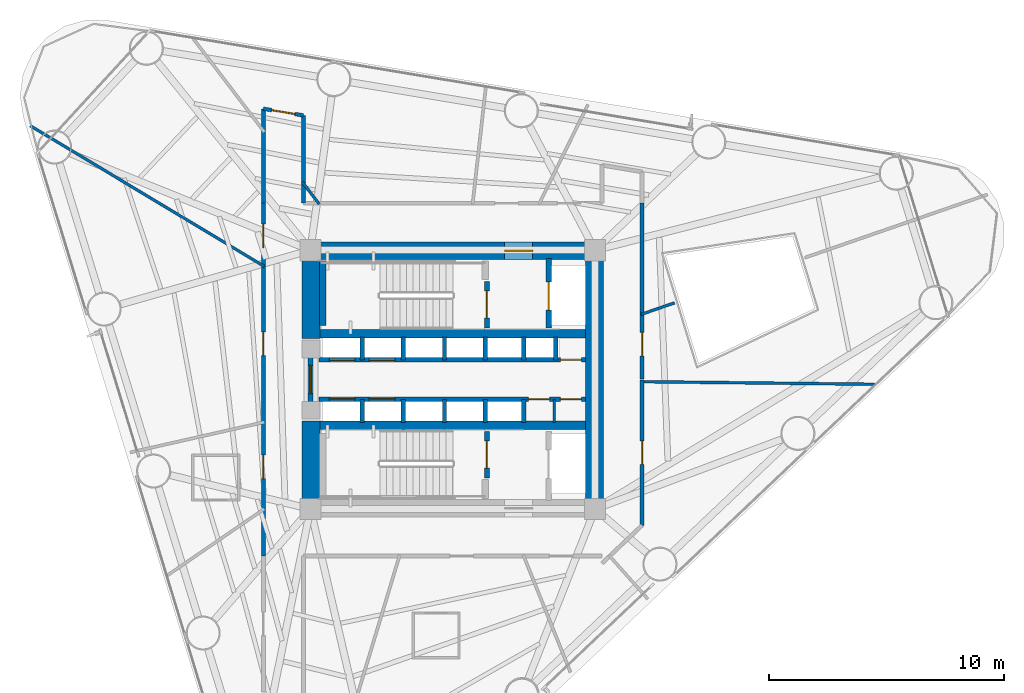
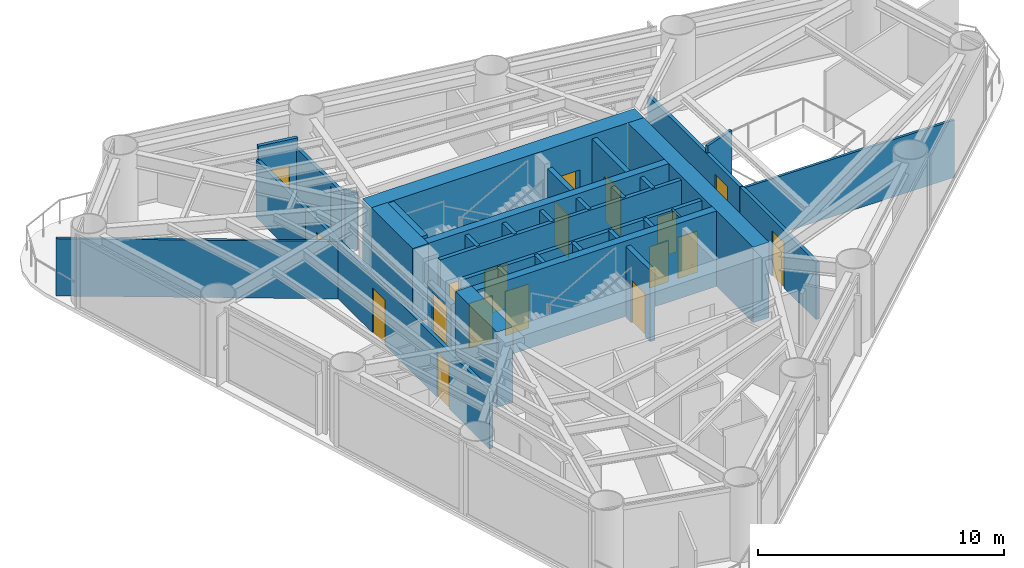
# One storey, part 6 of 10: 35 walls, 18 doors, 18 openings.
"""IFC4 building model written with IfcOpenShell, lengths in metres."""

import ifcopenshell
import ifcopenshell.guid

model = None  # the IFC model being written
_history = None  # IfcOwnerHistory: only IFC2X3 demands one
_inside = {}  # id of a spatial element -> (the spatial element, [elements in it])
_under = {}  # id of a project, library or spatial element -> (it, [spatial elements below it])
_declared = {}  # id of a project -> (the project, [libraries it declares])
_typed = {}  # id of a type object -> (the type object, [elements of that type])
_made_of = {}  # id of a material, layer set ... -> (it, [elements and type objects made of it])


def new_model(schema):
    """Start an empty IFC model of exactly this schema.

    Asked for "IFC4X3", IfcOpenShell would pick the latest addendum, in which some entities
    have other attributes; the version numbers below select the first issue.
    IFC2X3 requires an IfcOwnerHistory on every rooted entity: one is made here for all.
    """
    global model, _history
    if schema == "IFC4X3":
        model = ifcopenshell.file(schema_version=(4, 3, 0, 0))
    else:
        model = ifcopenshell.file(schema=schema)
    _inside.clear()
    _under.clear()
    _declared.clear()
    _typed.clear()
    _made_of.clear()
    _history = None
    if model.schema == "IFC2X3":
        org = make("IfcOrganization", Name="unknown")
        user = make(
            "IfcPersonAndOrganization",
            ThePerson=make("IfcPerson", FamilyName="unknown"),
            TheOrganization=org,
        )
        app = make(
            "IfcApplication",
            ApplicationDeveloper=org,
            Version="unknown",
            ApplicationFullName="unknown",
            ApplicationIdentifier="unknown",
        )
        _history = make(
            "IfcOwnerHistory",
            OwningUser=user,
            OwningApplication=app,
            ChangeAction="ADDED",
            CreationDate=0,
        )
    return model


def make(cls, **values):
    """One entity of the class cls with the attributes given. An attribute that is None is left unset."""
    return model.create_entity(
        cls, **{name: value for name, value in values.items() if value is not None}
    )


def rooted(cls, **values):
    """An entity with a GlobalId (a new one), such as an element, a storey or a relation."""
    return make(cls, GlobalId=ifcopenshell.guid.new(), OwnerHistory=_history, **values)


def si_unit(unit_type, name, prefix=None):
    """IfcSIUnit, for example si_unit("LENGTHUNIT", "METRE", prefix="MILLI")."""
    return make("IfcSIUnit", UnitType=unit_type, Prefix=prefix, Name=name)


def assignment(units):
    """IfcUnitAssignment: the units of a project."""
    return None if units is None else make("IfcUnitAssignment", Units=units)


def point(xyz):
    """IfcCartesianPoint."""
    return None if xyz is None else make("IfcCartesianPoint", Coordinates=xyz)


def direction(xyz):
    """IfcDirection."""
    return None if xyz is None else make("IfcDirection", DirectionRatios=xyz)


def frame(location, z_axis=None, x_axis=None):
    """IfcAxis2Placement3D, a coordinate frame: its origin and axes. An axis left out is left unset."""
    return make(
        "IfcAxis2Placement3D",
        Location=point(location),
        Axis=direction(z_axis),
        RefDirection=direction(x_axis),
    )


def frame_2d(location, x_axis=None):
    """IfcAxis2Placement2D, a coordinate frame in the plane: its origin and x axis."""
    return make(
        "IfcAxis2Placement2D", Location=point(location), RefDirection=direction(x_axis)
    )


def origin():
    """The frame at (0, 0, 0) with its axes left unset."""
    return frame((0.0, 0.0, 0.0))


def place(relative_to, where):
    """IfcLocalPlacement: puts the frame where relative to a parent placement (None: the world)."""
    return make(
        "IfcLocalPlacement", PlacementRelTo=relative_to, RelativePlacement=where
    )


def context(
    kind, dimensions, precision=None, world=None, true_north=None, identifier=None
):
    """IfcGeometricRepresentationContext, for example the 3D "Model" context."""
    return make(
        "IfcGeometricRepresentationContext",
        ContextIdentifier=identifier,
        ContextType=kind,
        CoordinateSpaceDimension=dimensions,
        Precision=precision,
        WorldCoordinateSystem=world,
        TrueNorth=true_north,
    )


def subcontext(parent, identifier, kind, view, scale=None):
    """IfcGeometricRepresentationSubContext, for example "Body" below "Model"."""
    return make(
        "IfcGeometricRepresentationSubContext",
        ContextIdentifier=identifier,
        ContextType=kind,
        ParentContext=parent,
        TargetScale=scale,
        TargetView=view,
    )


def project(units=None, contexts=None):
    """IfcProject with its units and contexts."""
    return rooted(
        "IfcProject",
        Name="project",
        RepresentationContexts=contexts,
        UnitsInContext=assignment(units),
    )


def spatial(cls, under=None, at=None, **own):
    """A site, building, storey or space (cls), placed at a placement, below another one or the project."""
    s = rooted(cls, ObjectPlacement=at, **own)
    if under is not None:
        _under.setdefault(under.id(), (under, []))[1].append(s)
    return s


def profile(cls, at=None, kind="AREA", **sizes):
    """A parametric profile (cls). Its sizes go by their IFC names, for example OverallWidth=200.0."""
    return make(cls, ProfileType=kind, Position=at, **sizes)


def rectangle(**sizes):
    """IfcRectangleProfileDef."""
    return profile("IfcRectangleProfileDef", **sizes)


def extrude(swept, where, along, depth):
    """IfcExtrudedAreaSolid: the profile swept, set in the frame where, extruded along a direction by depth."""
    return make(
        "IfcExtrudedAreaSolid",
        SweptArea=swept,
        Position=where,
        ExtrudedDirection=direction(along),
        Depth=depth,
    )


def shape(context_of_items, identifier, shape_type, items):
    """IfcShapeRepresentation: the items that make up one representation, for example the "Body"."""
    return make(
        "IfcShapeRepresentation",
        ContextOfItems=context_of_items,
        RepresentationIdentifier=identifier,
        RepresentationType=shape_type,
        Items=items,
    )


def material(Name=None, Category=None):
    """IfcMaterial."""
    return make("IfcMaterial", Name=Name, Category=Category)


def layer(
    of_material, thickness, ventilated=None, Name=None, Category=None, Priority=None
):
    """IfcMaterialLayer: one layer of a wall or slab, of a material (None: an air gap)."""
    return make(
        "IfcMaterialLayer",
        Material=of_material,
        LayerThickness=thickness,
        IsVentilated=ventilated,
        Name=Name,
        Category=Category,
        Priority=Priority,
    )


def layer_set(layers, Name=None):
    """IfcMaterialLayerSet."""
    return make("IfcMaterialLayerSet", MaterialLayers=layers, LayerSetName=Name)


def made_of(thing, what):
    """Note that an element or type object is made of a material, layer set ...; save() writes the relation."""
    if what is not None:
        _made_of.setdefault(what.id(), (what, []))[1].append(thing)
    return thing


def type_object(cls, material=None, **own):
    """A type object (cls), such as IfcWallType, which elements share."""
    return made_of(rooted(cls, **own), material)


def element(
    cls,
    number,
    at=None,
    inside=None,
    cuts=None,
    type_object=None,
    material=None,
    context=None,
    identifier="Body",
    shape_type=None,
    held_by="IfcProductDefinitionShape",
    body=None,
    shapes=None,
    **own,
):
    """One element of the class cls, such as IfcWall. Its Tag is "e" and its number.

    at: its placement. inside: the storey or other place that contains it. cuts: it is an
    opening in that element (IfcRelVoidsElement). A single representation is given by context,
    identifier, shape_type and body (its items); several are given by shapes. held_by: the class
    of the entity that holds the representations. save() writes the other relations.
    """
    e = rooted(cls, Tag="e%d" % number, ObjectPlacement=at, **own)
    if body is not None:
        shapes = [shape(context, identifier, shape_type, body)]
    if shapes is not None:
        e.Representation = make(held_by, Representations=shapes)
    if inside is not None:
        _inside.setdefault(inside.id(), (inside, []))[1].append(e)
    if cuts is not None:
        rooted(
            "IfcRelVoidsElement", RelatingBuildingElement=cuts, RelatedOpeningElement=e
        )
    if type_object is not None:
        _typed.setdefault(type_object.id(), (type_object, []))[1].append(e)
    return made_of(e, material)


def fill(opening, filler):
    """IfcRelFillsElement: the door or window that sits in an opening."""
    return rooted(
        "IfcRelFillsElement",
        RelatingOpeningElement=opening,
        RelatedBuildingElement=filler,
    )


def aggregate(whole, parts):
    """IfcRelAggregates: a whole, such as a stair, and the parts it consists of."""
    return rooted("IfcRelAggregates", RelatingObject=whole, RelatedObjects=parts)


def save(model, path):
    """Write the relations noted so far, then the file.

    IfcRelAggregates (storeys below a building ...), IfcRelContainedInSpatialStructure (elements
    in a storey), IfcRelDefinesByType, IfcRelAssociatesMaterial and IfcRelDeclares: one each for
    every whole, place, type object, material and project.
    """
    for whole, parts in _under.values():
        aggregate(whole, parts)
    for where, things in _inside.values():
        rooted(
            "IfcRelContainedInSpatialStructure",
            RelatedElements=things,
            RelatingStructure=where,
        )
    for kind, things in _typed.values():
        rooted("IfcRelDefinesByType", RelatedObjects=things, RelatingType=kind)
    for what, things in _made_of.values():
        rooted("IfcRelAssociatesMaterial", RelatedObjects=things, RelatingMaterial=what)
    for by, libraries in _declared.values():
        rooted("IfcRelDeclares", RelatingContext=by, RelatedDefinitions=libraries)
    model.write(path)


model = new_model("IFC4")

# Units and contexts
model_context = context("Model", 3, precision=1e-05, world=origin(), true_north=direction((0.0, 1.0)))
body_context = subcontext(model_context, "Body", "Model", "MODEL_VIEW")
ifc_project = project(units=[si_unit("LENGTHUNIT", "METRE"), si_unit("AREAUNIT", "SQUARE_METRE"), si_unit("VOLUMEUNIT", "CUBIC_METRE"), si_unit("PLANEANGLEUNIT", "RADIAN"), si_unit("MASSUNIT", "GRAM", prefix="KILO")], contexts=[model_context])

# Site, building, storey
site_placement = place(None, origin())
site = spatial("IfcSite", under=ifc_project, at=site_placement, CompositionType="ELEMENT")
building_placement = place(site_placement, origin())
building = spatial("IfcBuilding", under=site, at=building_placement, Name="Yunling Apex Tower", CompositionType="ELEMENT")
storey_placement = place(building_placement, frame((0.0, 0.0, 93.64990234375)))
storey = spatial("IfcBuildingStorey", under=building, at=storey_placement, Name="L23", CompositionType="ELEMENT", Elevation=93.64990234375)

# Wall, opening, door
ifc_material_1 = material(Name="Concrete C60", Category="concrete")
ifc_layer_1 = layer(ifc_material_1, 0.75)
ifc_layer_set_1 = layer_set([ifc_layer_1], Name="Concrete C60")
wall_type_1 = type_object("IfcWallType", Name="WL-COR-1", PredefinedType="SHEAR", material=ifc_layer_set_1)
wall_1_placement = place(storey_placement, frame((-6.39990234375, 5.47509765625, 0.0), z_axis=(0.0, 0.0, 1.0), x_axis=(1.0, 0.0, 0.0)))
wall_1 = element("IfcWall", 1, at=wall_1_placement, inside=storey, type_object=wall_type_1, Name="L23 North Core Shear Wall", PredefinedType="SHEAR", context=body_context, shape_type="SweptSolid", body=[
    extrude(rectangle(XDim=12.7998046875, YDim=0.75, at=frame_2d((6.39990234375, 0.0))), origin(), (0.0, 0.0, 1.0), 3.75),
])
opening_1_placement = place(wall_1_placement, frame((8.60009765625, 0.0, 0.0)))
opening_1 = element("IfcOpeningElement", 2, at=opening_1_placement, cuts=wall_1, Name="Opening DR-FFL-1", PredefinedType="OPENING", context=body_context, shape_type="SweptSolid", body=[
    extrude(rectangle(XDim=1.199951171875, YDim=2.199951171875, at=frame_2d((0.60009765625, 1.10009765625))), frame((0.0, 0.385009765625, 0.0), z_axis=(0.0, -1.0, 0.0), x_axis=(1.0, 0.0, 0.0)), (0.0, 0.0, 1.0), 0.77001953125),
])
ifc_material_2 = material(Name="Steel Q355B", Category="steel")
door_type_1 = type_object("IfcDoorType", Name="DR-FFL-1", OperationType="NOTDEFINED", PredefinedType="DOOR", material=ifc_material_2)
door_1_placement = place(opening_1_placement, origin())
door_1 = element("IfcDoor", 3, at=door_1_placement, inside=storey, type_object=door_type_1, Name="L23 North Firefighting Lobby Door", OperationType="SINGLE_SWING_LEFT", OverallHeight=2.199951171875, OverallWidth=1.199951171875, PredefinedType="DOOR", context=body_context, shape_type="SweptSolid", body=[
    extrude(rectangle(XDim=1.199951171875, YDim=2.199951171875, at=frame_2d((0.60009765625, 1.10009765625))), frame((0.0, 0.02490234375, 0.0), z_axis=(0.0, -1.0, 0.0), x_axis=(1.0, 0.0, 0.0)), (0.0, 0.0, 1.0), 0.050048828125),
])
fill(opening_1, door_1)

# Walls
wall_2_placement = place(storey_placement, frame((6.02490234375, -5.10009765625, 0.0), z_axis=(0.0, 0.0, 1.0), x_axis=(0.0, 1.0, 0.0)))
element("IfcWall", 4, at=wall_2_placement, inside=storey, type_object=wall_type_1, Name="L23 East Core Shear Wall", PredefinedType="SHEAR", context=body_context, shape_type="SweptSolid", body=[
    extrude(rectangle(XDim=10.2001953125, YDim=0.75, at=frame_2d((5.10009765625, 0.0))), origin(), (0.0, 0.0, 1.0), 3.75),
])
for number, where, z_axis, x_axis, name in (
    (5, (-6.02490234375, -5.10009765625, 0.0), (0.0, 0.0, 1.0), (0.0, 1.0, 0.0), "L23 West-South Core Shear Wall"),
    (6, (-6.02490234375, 1.75, 0.0), (0.0, 0.0, 1.0), (0.0, 1.0, 0.0), "L23 West-North Core Shear Wall"),
):
    element("IfcWall", number, at=place(storey_placement, frame(where, z_axis=z_axis, x_axis=x_axis)), inside=storey, type_object=wall_type_1, Name=name, PredefinedType="SHEAR", context=body_context, shape_type="SweptSolid", body=[
        extrude(rectangle(XDim=3.35009765625, YDim=0.75, at=frame_2d((1.675048828125, 0.0))), origin(), (0.0, 0.0, 1.0), 3.75),
    ])
ifc_material_3 = material(Name="Concrete C40", Category="concrete")
ifc_layer_2 = layer(ifc_material_3, 0.360107421875)
ifc_layer_set_2 = layer_set([ifc_layer_2], Name="Concrete C40")
wall_type_2 = type_object("IfcWallType", Name="WL-COR-4", PredefinedType="SHEAR", material=ifc_layer_set_2)
for number, where, z_axis, x_axis, name in (
    (7, (-5.64990234375, 1.93994140625, 0.0), (0.0, 0.0, 1.0), (1.0, 0.0, 0.0), "L23 North Internal Core Shear Wall"),
    (8, (-5.64990234375, -1.93994140625, 0.0), (0.0, 0.0, 1.0), (1.0, 0.0, 0.0), "L23 South Internal Core Shear Wall"),
):
    element("IfcWall", number, at=place(storey_placement, frame(where, z_axis=z_axis, x_axis=x_axis)), inside=storey, type_object=wall_type_2, Name=name, PredefinedType="SHEAR", context=body_context, shape_type="SweptSolid", body=[
        extrude(rectangle(XDim=11.2998046875, YDim=0.360107421875, at=frame_2d((5.64990234375, 0.0))), origin(), (0.0, 0.0, 1.0), 3.75),
    ])
ifc_layer_3 = layer(ifc_material_3, 0.280029296875)
ifc_layer_set_3 = layer_set([ifc_layer_3], Name="Concrete C40")
wall_type_3 = type_object("IfcWallType", Name="WL-COR-8", PredefinedType="SHEAR", material=ifc_layer_set_3)
wall_3_placement = place(storey_placement, frame((-5.52001953125, 2.300048828125, 0.0), z_axis=(0.0, 0.0, 1.0), x_axis=(0.0, 1.0, 0.0)))
element("IfcWall", 9, at=wall_3_placement, inside=storey, type_object=wall_type_3, Name="L23 ST-1 West Landing Bearing Wall", PredefinedType="SHEAR", context=body_context, shape_type="SweptSolid", body=[
    extrude(rectangle(XDim=2.75, YDim=0.280029296875, at=frame_2d((1.375, 0.0))), origin(), (0.0, 0.0, 1.0), 3.75),
])

# Wall, openings, doors
ifc_material_4 = material(Name="Gypsum board acoustic partition")
ifc_layer_4 = layer(ifc_material_4, 0.159912109375)
ifc_layer_set_4 = layer_set([ifc_layer_4], Name="Gypsum board acoustic partition")
wall_type_4 = type_object("IfcWallType", Name="WL-PRT-1", PredefinedType="PARTITIONING", material=ifc_layer_set_4)
wall_4_placement = place(storey_placement, frame((-8.050048828125, -7.5, 0.0), z_axis=(0.0, 0.0, 1.0), x_axis=(0.0, 1.0, 0.0)))
wall_4 = element("IfcWall", 10, at=wall_4_placement, inside=storey, type_object=wall_type_4, Name="WL-CORR-L23-02", PredefinedType="PARTITIONING", context=body_context, shape_type="SweptSolid", body=[
    extrude(rectangle(XDim=15.0, YDim=0.159912109375, at=frame_2d((7.5, 0.0))), origin(), (0.0, 0.0, 1.0), 2.85009765625),
])
opening_2_placement = place(wall_4_placement, frame((3.2919921875, 0.0, 0.0)))
opening_2 = element("IfcOpeningElement", 11, at=opening_2_placement, cuts=wall_4, Name="Opening DR-OFF-1", PredefinedType="OPENING", context=body_context, shape_type="SweptSolid", body=[
    extrude(rectangle(XDim=1.0, YDim=2.25, at=frame_2d((0.5, 1.125))), frame((0.0, 0.08984375, 0.0), z_axis=(0.0, -1.0, 0.0), x_axis=(1.0, 0.0, 0.0)), (0.0, 0.0, 1.0), 0.179931640625),
])
opening_3_placement = place(wall_4_placement, frame((8.52392578125, 0.0, 0.0)))
opening_3 = element("IfcOpeningElement", 12, at=opening_3_placement, cuts=wall_4, Name="Opening DR-OFF-1", PredefinedType="OPENING", context=body_context, shape_type="SweptSolid", body=[
    extrude(rectangle(XDim=1.0, YDim=2.25, at=frame_2d((0.5, 1.125))), frame((0.0, 0.08984375, 0.0), z_axis=(0.0, -1.0, 0.0), x_axis=(1.0, 0.0, 0.0)), (0.0, 0.0, 1.0), 0.179931640625),
])
opening_4_placement = place(wall_4_placement, frame((13.105224609375, 0.0, 0.0)))
opening_4 = element("IfcOpeningElement", 13, at=opening_4_placement, cuts=wall_4, Name="Opening DR-OFF-1", PredefinedType="OPENING", context=body_context, shape_type="SweptSolid", body=[
    extrude(rectangle(XDim=1.0, YDim=2.25, at=frame_2d((0.5, 1.125))), frame((0.0, 0.08984375, 0.0), z_axis=(0.0, -1.0, 0.0), x_axis=(1.0, 0.0, 0.0)), (0.0, 0.0, 1.0), 0.179931640625),
])
ifc_material_5 = material(Name="Bronze anodised aluminium", Category="aluminium")
door_type_2 = type_object("IfcDoorType", Name="DR-OFF-1", OperationType="NOTDEFINED", PredefinedType="DOOR", material=ifc_material_5)
door_2_placement = place(opening_2_placement, origin())
door_2 = element("IfcDoor", 14, at=door_2_placement, inside=storey, type_object=door_type_2, Name="L23 Office Suite Door", OperationType="SINGLE_SWING_RIGHT", OverallHeight=2.25, OverallWidth=1.0, PredefinedType="DOOR", context=body_context, shape_type="SweptSolid", body=[
    extrude(rectangle(XDim=1.0, YDim=2.25, at=frame_2d((0.5, 1.125))), frame((0.0, 0.02490234375, 0.0), z_axis=(0.0, -1.0, 0.0), x_axis=(1.0, 0.0, 0.0)), (0.0, 0.0, 1.0), 0.050048828125),
])
fill(opening_2, door_2)
door_3_placement = place(opening_3_placement, origin())
door_3 = element("IfcDoor", 15, at=door_3_placement, inside=storey, type_object=door_type_2, Name="L23 Tea Point Kitchen Door", OperationType="SINGLE_SWING_LEFT", OverallHeight=2.25, OverallWidth=1.0, PredefinedType="DOOR", context=body_context, shape_type="SweptSolid", body=[
    extrude(rectangle(XDim=1.0, YDim=2.25, at=frame_2d((0.5, 1.125))), frame((0.0, 0.02490234375, 0.0), z_axis=(0.0, -1.0, 0.0), x_axis=(1.0, 0.0, 0.0)), (0.0, 0.0, 1.0), 0.050048828125),
])
fill(opening_3, door_3)
door_4_placement = place(opening_4_placement, origin())
door_4 = element("IfcDoor", 16, at=door_4_placement, inside=storey, type_object=door_type_2, Name="L23 Tea Point Kitchen Door", OperationType="SINGLE_SWING_RIGHT", OverallHeight=2.25, OverallWidth=1.0, PredefinedType="DOOR", context=body_context, shape_type="SweptSolid", body=[
    extrude(rectangle(XDim=1.0, YDim=2.25, at=frame_2d((0.5, 1.125))), frame((0.0, 0.02490234375, 0.0), z_axis=(0.0, -1.0, 0.0), x_axis=(1.0, 0.0, 0.0)), (0.0, 0.0, 1.0), 0.050048828125),
])
fill(opening_4, door_4)

# Wall
wall_5_placement = place(storey_placement, frame((-8.050048828125, 7.5, 0.0), z_axis=(0.0, 0.0, 1.0), x_axis=(0.0, 1.0, 0.0)))
element("IfcWall", 17, at=wall_5_placement, inside=storey, type_object=wall_type_4, Name="WL-CORR-L23-03", PredefinedType="PARTITIONING", context=body_context, shape_type="SweptSolid", body=[
    extrude(rectangle(XDim=4.012451171875, YDim=0.159912109375, at=frame_2d((2.00634765625, 0.0))), origin(), (0.0, 0.0, 1.0), 2.85009765625),
])

# Wall, opening, door
wall_6_placement = place(storey_placement, frame((-8.050048828125, 11.512451171875, 0.0), z_axis=(0.0, 0.0, 1.0), x_axis=(0.986405407683, -0.164330069354, 0.0)))
wall_6 = element("IfcWall", 18, at=wall_6_placement, inside=storey, type_object=wall_type_4, Name="WL-CORR-L23-04", PredefinedType="PARTITIONING", context=body_context, shape_type="SweptSolid", body=[
    extrude(rectangle(XDim=1.723388671875, YDim=0.159912109375, at=frame_2d((0.86181640625, 0.0))), origin(), (0.0, 0.0, 1.0), 3.545166015625),
])
opening_5_placement = place(wall_6_placement, frame((0.36181640625, 0.0, 0.0)))
opening_5 = element("IfcOpeningElement", 19, at=opening_5_placement, cuts=wall_6, Name="Opening DR-OFF-1", PredefinedType="OPENING", context=body_context, shape_type="SweptSolid", body=[
    extrude(rectangle(XDim=1.0, YDim=2.25, at=frame_2d((0.5, 1.125))), frame((0.0, 0.08984375, 0.0), z_axis=(0.0, -1.0, 0.0), x_axis=(1.0, 0.0, 0.0)), (0.0, 0.0, 1.0), 0.179931640625),
])
door_5_placement = place(opening_5_placement, origin())
door_5 = element("IfcDoor", 20, at=door_5_placement, inside=storey, type_object=door_type_2, Name="L23 Administration Staff Room Door", OperationType="SINGLE_SWING_LEFT", OverallHeight=2.25, OverallWidth=1.0, PredefinedType="DOOR", context=body_context, shape_type="SweptSolid", body=[
    extrude(rectangle(XDim=1.0, YDim=2.25, at=frame_2d((0.5, 1.125))), frame((0.0, 0.02490234375, 0.0), z_axis=(0.0, -1.0, 0.0), x_axis=(1.0, 0.0, 0.0)), (0.0, 0.0, 1.0), 0.050048828125),
])
fill(opening_5, door_5)

# Wall
wall_7_placement = place(storey_placement, frame((-6.35009765625, 11.229248046875, 0.0), z_axis=(0.0, 0.0, 1.0), x_axis=(0.0, -1.0, 0.0)))
element("IfcWall", 21, at=wall_7_placement, inside=storey, type_object=wall_type_4, Name="WL-CORR-L23-05", PredefinedType="PARTITIONING", context=body_context, shape_type="SweptSolid", body=[
    extrude(rectangle(XDim=3.729248046875, YDim=0.159912109375, at=frame_2d((1.86474609375, 0.0))), origin(), (0.0, 0.0, 1.0), 3.050048828125),
])

# Wall, opening, door
wall_8_placement = place(storey_placement, frame((8.050048828125, 7.5, 0.0), z_axis=(0.0, 0.0, 1.0), x_axis=(0.0, -1.0, 0.0)))
wall_8 = element("IfcWall", 22, at=wall_8_placement, inside=storey, type_object=wall_type_4, Name="WL-CORR-L23-10", PredefinedType="PARTITIONING", context=body_context, shape_type="SweptSolid", body=[
    extrude(rectangle(XDim=7.47998046875, YDim=0.159912109375, at=frame_2d((3.739990234375, 0.0))), origin(), (0.0, 0.0, 1.0), 2.85009765625),
])
opening_6_placement = place(wall_8_placement, frame((5.4912109375, 0.0, 0.0)))
opening_6 = element("IfcOpeningElement", 23, at=opening_6_placement, cuts=wall_8, Name="Opening DR-OFF-1", PredefinedType="OPENING", context=body_context, shape_type="SweptSolid", body=[
    extrude(rectangle(XDim=1.0, YDim=2.25, at=frame_2d((0.5, 1.125))), frame((0.0, 0.08984375, 0.0), z_axis=(0.0, -1.0, 0.0), x_axis=(1.0, 0.0, 0.0)), (0.0, 0.0, 1.0), 0.179931640625),
])
door_6_placement = place(opening_6_placement, origin())
door_6 = element("IfcDoor", 24, at=door_6_placement, inside=storey, type_object=door_type_2, Name="L23 Conference Meeting Room Door", OperationType="SINGLE_SWING_RIGHT", OverallHeight=2.25, OverallWidth=1.0, PredefinedType="DOOR", context=body_context, shape_type="SweptSolid", body=[
    extrude(rectangle(XDim=1.0, YDim=2.25, at=frame_2d((0.5, 1.125))), frame((0.0, 0.02490234375, 0.0), z_axis=(0.0, -1.0, 0.0), x_axis=(1.0, 0.0, 0.0)), (0.0, 0.0, 1.0), 0.050048828125),
])
fill(opening_6, door_6)

wall_9_placement = place(storey_placement, frame((8.050048828125, -0.02001953125, 0.0), z_axis=(0.0, 0.0, 1.0), x_axis=(0.0, -1.0, 0.0)))
wall_9 = element("IfcWall", 25, at=wall_9_placement, inside=storey, type_object=wall_type_4, Name="WL-CORR-L23-11", PredefinedType="PARTITIONING", context=body_context, shape_type="SweptSolid", body=[
    extrude(rectangle(XDim=6.173583984375, YDim=0.159912109375, at=frame_2d((3.0869140625, 0.0))), origin(), (0.0, 0.0, 1.0), 2.85009765625),
])
opening_7_placement = place(wall_9_placement, frame((2.5869140625, 0.0, 0.0)))
opening_7 = element("IfcOpeningElement", 26, at=opening_7_placement, cuts=wall_9, Name="Opening DR-OFF-1", PredefinedType="OPENING", context=body_context, shape_type="SweptSolid", body=[
    extrude(rectangle(XDim=1.0, YDim=2.25, at=frame_2d((0.5, 1.125))), frame((0.0, 0.08984375, 0.0), z_axis=(0.0, -1.0, 0.0), x_axis=(1.0, 0.0, 0.0)), (0.0, 0.0, 1.0), 0.179931640625),
])
door_7_placement = place(opening_7_placement, origin())
door_7 = element("IfcDoor", 27, at=door_7_placement, inside=storey, type_object=door_type_2, Name="L23 Tea Point Kitchen Door", OperationType="SINGLE_SWING_LEFT", OverallHeight=2.25, OverallWidth=1.0, PredefinedType="DOOR", context=body_context, shape_type="SweptSolid", body=[
    extrude(rectangle(XDim=1.0, YDim=2.25, at=frame_2d((0.5, 1.125))), frame((0.0, 0.02490234375, 0.0), z_axis=(0.0, -1.0, 0.0), x_axis=(1.0, 0.0, 0.0)), (0.0, 0.0, 1.0), 0.050048828125),
])
fill(opening_7, door_7)

# Walls
ifc_layer_5 = layer(ifc_material_4, 0.1201171875)
ifc_layer_set_5 = layer_set([ifc_layer_5], Name="Gypsum board acoustic partition")
wall_type_5 = type_object("IfcWallType", Name="WL-PRT-3", PredefinedType="PARTITIONING", material=ifc_layer_set_5)
wall_10_placement = place(storey_placement, frame((-8.010009765625, 4.81298828125, 0.0), z_axis=(0.0, 0.0, 1.0), x_axis=(-0.857173493242, 0.515027768653, 0.0)))
element("IfcWall", 28, at=wall_10_placement, inside=storey, type_object=wall_type_5, Name="WL-RAD-L23-01", PredefinedType="PARTITIONING", context=body_context, shape_type="SweptSolid", body=[
    extrude(rectangle(XDim=11.605224609375, YDim=0.1201171875, at=frame_2d((5.802734375, 0.0))), origin(), (0.0, 0.0, 1.0), 2.85009765625),
])
wall_11_placement = place(storey_placement, frame((8.010009765625, -0.089111328125, 0.0), z_axis=(0.0, 0.0, 1.0), x_axis=(0.999938319872, -0.011106594972, 0.0)))
element("IfcWall", 29, at=wall_11_placement, inside=storey, type_object=wall_type_5, Name="WL-RAD-L23-07", PredefinedType="PARTITIONING", context=body_context, shape_type="SweptSolid", body=[
    extrude(rectangle(XDim=9.913818359375, YDim=0.1201171875, at=frame_2d((4.95703125, 0.0))), origin(), (0.0, 0.0, 1.0), 2.85009765625),
])
wall_12_placement = place(storey_placement, frame((8.010009765625, 2.772216796875, 0.0), z_axis=(0.0, 0.0, 1.0), x_axis=(0.945009284385, 0.327043502344, 0.0)))
element("IfcWall", 30, at=wall_12_placement, inside=storey, type_object=wall_type_5, Name="WL-RAD-L23-08", PredefinedType="PARTITIONING", context=body_context, shape_type="SweptSolid", body=[
    extrude(rectangle(XDim=1.50048828125, YDim=0.1201171875, at=frame_2d((0.750244140625, 0.0))), origin(), (0.0, 0.0, 1.0), 3.210205078125),
])
wall_13_placement = place(storey_placement, frame((-5.677490234375, 7.4599609375, 0.0), z_axis=(0.0, 0.0, 1.0), x_axis=(-0.605430415, 0.795898242612, 0.0)))
element("IfcWall", 31, at=wall_13_placement, inside=storey, type_object=wall_type_5, Name="WL-RAD-L23-12", PredefinedType="PARTITIONING", context=body_context, shape_type="SweptSolid", body=[
    extrude(rectangle(XDim=1.1767578125, YDim=0.1201171875, at=frame_2d((0.58837890625, 0.0))), origin(), (0.0, 0.0, 1.0), 2.85009765625),
])
ifc_layer_6 = layer(ifc_material_4, 0.10009765625)
ifc_layer_set_6 = layer_set([ifc_layer_6], Name="Gypsum board acoustic partition")
wall_type_6 = type_object("IfcWallType", Name="WL-PRT-4", PredefinedType="PARTITIONING", material=ifc_layer_set_6)
wall_14_placement = place(storey_placement, frame((4.31005859375, -1.820068359375, 0.0), z_axis=(0.0, 0.0, 1.0), x_axis=(0.0, 1.0, 0.0)))
element("IfcWall", 32, at=wall_14_placement, inside=storey, type_object=wall_type_6, Name="WL-KCDIV-L23", PredefinedType="PARTITIONING", context=body_context, shape_type="SweptSolid", body=[
    extrude(rectangle(XDim=0.97998046875, YDim=0.10009765625, at=frame_2d((0.489990234375, 0.0))), origin(), (0.0, 0.0, 1.0), 3.545166015625),
])

# Wall, opening, door
ifc_material_6 = material(Name="Autoclaved aerated concrete masonry", Category="masonry")
ifc_layer_7 = layer(ifc_material_6, 0.219970703125)
ifc_layer_set_7 = layer_set([ifc_layer_7], Name="Autoclaved aerated concrete masonry")
wall_type_7 = type_object("IfcWallType", Name="WL-SHF-1", PredefinedType="PLUMBINGWALL", material=ifc_layer_set_7)
wall_15_placement = place(storey_placement, frame((-6.050048828125, -0.949951171875, 0.0), z_axis=(0.0, 0.0, 1.0), x_axis=(0.0, 1.0, 0.0)))
wall_15 = element("IfcWall", 33, at=wall_15_placement, inside=storey, type_object=wall_type_7, Name="WL-COR-WPORT-L23", PredefinedType="PLUMBINGWALL", context=body_context, shape_type="SweptSolid", body=[
    extrude(rectangle(XDim=1.89990234375, YDim=0.219970703125, at=frame_2d((0.949951171875, 0.0))), origin(), (0.0, 0.0, 1.0), 2.525146484375),
])
opening_8_placement = place(wall_15_placement, frame((0.35009765625, 0.0, 0.0)))
opening_8 = element("IfcOpeningElement", 34, at=opening_8_placement, cuts=wall_15, Name="Opening DR-FFL-1", PredefinedType="OPENING", context=body_context, shape_type="SweptSolid", body=[
    extrude(rectangle(XDim=1.199951171875, YDim=2.199951171875, at=frame_2d((0.60009765625, 1.10009765625))), frame((0.0, 0.1201171875, 0.0), z_axis=(0.0, -1.0, 0.0), x_axis=(1.0, 0.0, 0.0)), (0.0, 0.0, 1.0), 0.239990234375),
])
door_8_placement = place(opening_8_placement, origin())
door_8 = element("IfcDoor", 35, at=door_8_placement, inside=storey, type_object=door_type_1, Name="L23 Passenger Lift Lobby Entrance Door", OperationType="SINGLE_SWING_LEFT", OverallHeight=2.199951171875, OverallWidth=1.199951171875, PredefinedType="DOOR", context=body_context, shape_type="SweptSolid", body=[
    extrude(rectangle(XDim=1.199951171875, YDim=2.199951171875, at=frame_2d((0.60009765625, 1.10009765625))), frame((0.0, 0.02490234375, 0.0), z_axis=(0.0, -1.0, 0.0), x_axis=(1.0, 0.0, 0.0)), (0.0, 0.0, 1.0), 0.050048828125),
])
fill(opening_8, door_8)

wall_16_placement = place(storey_placement, frame((1.449951171875, 2.199951171875, 0.0), z_axis=(0.0, 0.0, 1.0), x_axis=(0.0, 1.0, 0.0)))
wall_16 = element("IfcWall", 36, at=wall_16_placement, inside=storey, type_object=wall_type_7, Name="WL-ST1-E-L23", PredefinedType="PLUMBINGWALL", context=body_context, shape_type="SweptSolid", body=[
    extrude(rectangle(XDim=1.97998046875, YDim=0.219970703125, at=frame_2d((0.989990234375, 0.0))), origin(), (0.0, 0.0, 1.0), 3.545166015625),
])
opening_9_placement = place(wall_16_placement, frame((0.419921875, 0.0, 0.0)))
opening_9 = element("IfcOpeningElement", 37, at=opening_9_placement, cuts=wall_16, Name="Opening DR-ST-1", PredefinedType="OPENING", context=body_context, shape_type="SweptSolid", body=[
    extrude(rectangle(XDim=1.14990234375, YDim=2.14990234375, at=frame_2d((0.574951171875, 1.074951171875))), frame((0.0, 0.1201171875, 0.0), z_axis=(0.0, -1.0, 0.0), x_axis=(1.0, 0.0, 0.0)), (0.0, 0.0, 1.0), 0.239990234375),
])
door_type_3 = type_object("IfcDoorType", Name="DR-ST-1", OperationType="NOTDEFINED", PredefinedType="DOOR", material=ifc_material_2)
door_9_placement = place(opening_9_placement, origin())
door_9 = element("IfcDoor", 38, at=door_9_placement, inside=storey, type_object=door_type_3, Name="L23 Stair ST-1 Fire Door", OperationType="SINGLE_SWING_LEFT", OverallHeight=2.14990234375, OverallWidth=1.14990234375, PredefinedType="DOOR", context=body_context, shape_type="SweptSolid", body=[
    extrude(rectangle(XDim=1.14990234375, YDim=2.14990234375, at=frame_2d((0.574951171875, 1.074951171875))), frame((0.0, 0.02490234375, 0.0), z_axis=(0.0, -1.0, 0.0), x_axis=(1.0, 0.0, 0.0)), (0.0, 0.0, 1.0), 0.050048828125),
])
fill(opening_9, door_9)

wall_17_placement = place(storey_placement, frame((4.080078125, 2.199951171875, 0.0), z_axis=(0.0, 0.0, 1.0), x_axis=(0.0, 1.0, 0.0)))
wall_17 = element("IfcWall", 39, at=wall_17_placement, inside=storey, type_object=wall_type_7, Name="WL-FFL1-W-L23", PredefinedType="PLUMBINGWALL", context=body_context, shape_type="SweptSolid", body=[
    extrude(rectangle(XDim=2.949951171875, YDim=0.219970703125, at=frame_2d((1.47509765625, 0.0))), origin(), (0.0, 0.0, 1.0), 3.545166015625),
])
opening_10_placement = place(wall_17_placement, frame((0.75, 0.0, 0.0)))
opening_10 = element("IfcOpeningElement", 40, at=opening_10_placement, cuts=wall_17, Name="Opening LD-FFL-1", PredefinedType="OPENING", context=body_context, shape_type="SweptSolid", body=[
    extrude(rectangle(XDim=1.199951171875, YDim=2.25, at=frame_2d((0.60009765625, 1.125))), frame((0.0, 0.1201171875, 0.0), z_axis=(0.0, -1.0, 0.0), x_axis=(1.0, 0.0, 0.0)), (0.0, 0.0, 1.0), 0.239990234375),
])
door_type_4 = type_object("IfcDoorType", Name="LD-FFL-1", OperationType="DOUBLE_DOOR_SLIDING", PredefinedType="DOOR", material=ifc_material_2)
door_10_placement = place(opening_10_placement, origin())
door_10 = element("IfcDoor", 41, at=door_10_placement, inside=storey, type_object=door_type_4, Name="L23 Lift FFL-1 Landing Door", OperationType="DOUBLE_DOOR_SLIDING", OverallHeight=2.25, OverallWidth=1.199951171875, PredefinedType="DOOR", context=body_context, shape_type="SweptSolid", body=[
    extrude(rectangle(XDim=1.199951171875, YDim=2.25, at=frame_2d((0.60009765625, 1.125))), frame((0.0, 0.02490234375, 0.0), z_axis=(0.0, -1.0, 0.0), x_axis=(1.0, 0.0, 0.0)), (0.0, 0.0, 1.0), 0.050048828125),
])
fill(opening_10, door_10)

wall_18_placement = place(storey_placement, frame((1.449951171875, -4.179931640625, 0.0), z_axis=(0.0, 0.0, 1.0), x_axis=(0.0, 1.0, 0.0)))
wall_18 = element("IfcWall", 42, at=wall_18_placement, inside=storey, type_object=wall_type_7, Name="WL-ST2-E-L23", PredefinedType="PLUMBINGWALL", context=body_context, shape_type="SweptSolid", body=[
    extrude(rectangle(XDim=1.97998046875, YDim=0.219970703125, at=frame_2d((0.989990234375, 0.0))), origin(), (0.0, 0.0, 1.0), 3.545166015625),
])
opening_11_placement = place(wall_18_placement, frame((0.419921875, 0.0, 0.0)))
opening_11 = element("IfcOpeningElement", 43, at=opening_11_placement, cuts=wall_18, Name="Opening DR-ST-1", PredefinedType="OPENING", context=body_context, shape_type="SweptSolid", body=[
    extrude(rectangle(XDim=1.14990234375, YDim=2.14990234375, at=frame_2d((0.574951171875, 1.074951171875))), frame((0.0, 0.1201171875, 0.0), z_axis=(0.0, -1.0, 0.0), x_axis=(1.0, 0.0, 0.0)), (0.0, 0.0, 1.0), 0.239990234375),
])
door_11_placement = place(opening_11_placement, origin())
door_11 = element("IfcDoor", 44, at=door_11_placement, inside=storey, type_object=door_type_3, Name="L23 Stair ST-2 Fire Door", OperationType="SINGLE_SWING_RIGHT", OverallHeight=2.14990234375, OverallWidth=1.14990234375, PredefinedType="DOOR", context=body_context, shape_type="SweptSolid", body=[
    extrude(rectangle(XDim=1.14990234375, YDim=2.14990234375, at=frame_2d((0.574951171875, 1.074951171875))), frame((0.0, 0.02490234375, 0.0), z_axis=(0.0, -1.0, 0.0), x_axis=(1.0, 0.0, 0.0)), (0.0, 0.0, 1.0), 0.050048828125),
])
fill(opening_11, door_11)

# Walls
ifc_layer_8 = layer(ifc_material_6, 0.179931640625)
ifc_layer_set_8 = layer_set([ifc_layer_8], Name="Autoclaved aerated concrete masonry")
wall_type_8 = type_object("IfcWallType", Name="WL-SHF-2", PredefinedType="PLUMBINGWALL", material=ifc_layer_set_8)
for number, where, z_axis, x_axis, name in (
    (45, (-3.85009765625, 0.840087890625, 0.0), (0.0, 0.0, 1.0), (0.0, 1.0, 0.0), "WL-DIV-L12-L23"),
    (46, (-3.85009765625, -1.820068359375, 0.0), (0.0, 0.0, 1.0), (0.0, 1.0, 0.0), "WL-DIV-L34-L23"),
    (47, (-2.10009765625, 0.840087890625, 0.0), (0.0, 0.0, 1.0), (0.0, 1.0, 0.0), "WL-BNK-LM-N-L23"),
    (48, (-2.10009765625, -1.820068359375, 0.0), (0.0, 0.0, 1.0), (0.0, 1.0, 0.0), "WL-BNK-LM-S-L23"),
    (49, (-0.35009765625, 0.840087890625, 0.0), (0.0, 0.0, 1.0), (0.0, 1.0, 0.0), "WL-DIV-M12-L23"),
    (50, (-0.35009765625, -1.820068359375, 0.0), (0.0, 0.0, 1.0), (0.0, 1.0, 0.0), "WL-DIV-M34-L23"),
    (51, (1.3798828125, 0.840087890625, 0.0), (0.0, 0.0, 1.0), (0.0, 1.0, 0.0), "WL-BNK-MH-N-L23"),
    (52, (1.3798828125, -1.820068359375, 0.0), (0.0, 0.0, 1.0), (0.0, 1.0, 0.0), "WL-BNK-MH-S-L23"),
    (53, (3.02001953125, 0.840087890625, 0.0), (0.0, 0.0, 1.0), (0.0, 1.0, 0.0), "WL-DIV-H13-L23"),
    (54, (4.3798828125, 0.840087890625, 0.0), (0.0, 0.0, 1.0), (0.0, 1.0, 0.0), "WL-END-H3E-L23"),
    (55, (3.02001953125, -1.820068359375, 0.0), (0.0, 0.0, 1.0), (0.0, 1.0, 0.0), "WL-END-H2E-L23"),
):
    element("IfcWall", number, at=place(storey_placement, frame(where, z_axis=z_axis, x_axis=x_axis)), inside=storey, type_object=wall_type_8, Name=name, PredefinedType="PLUMBINGWALL", context=body_context, shape_type="SweptSolid", body=[
        extrude(rectangle(XDim=0.97998046875, YDim=0.179931640625, at=frame_2d((0.489990234375, 0.0))), origin(), (0.0, 0.0, 1.0), 3.545166015625),
    ])

# Wall, openings, doors
wall_19_placement = place(storey_placement, frame((-5.679931640625, 0.840087890625, 0.0), z_axis=(0.0, 0.0, 1.0), x_axis=(1.0, 0.0, 0.0)))
wall_19 = element("IfcWall", 56, at=wall_19_placement, inside=storey, type_object=wall_type_8, Name="WL-LOB-N-L23", PredefinedType="PLUMBINGWALL", context=body_context, shape_type="SweptSolid", body=[
    extrude(rectangle(XDim=11.329833984375, YDim=0.179931640625, at=frame_2d((5.6650390625, 0.0))), origin(), (0.0, 0.0, 1.0), 3.545166015625),
])
opening_12_placement = place(wall_19_placement, frame((0.429931640625, 0.0, 0.0)))
opening_12 = element("IfcOpeningElement", 57, at=opening_12_placement, cuts=wall_19, Name="Opening LD-PAS-1", PredefinedType="OPENING", context=body_context, shape_type="SweptSolid", body=[
    extrude(rectangle(XDim=1.10009765625, YDim=2.199951171875, at=frame_2d((0.550048828125, 1.10009765625))), frame((0.0, 0.10009765625, 0.0), z_axis=(0.0, -1.0, 0.0), x_axis=(1.0, 0.0, 0.0)), (0.0, 0.0, 1.0), 0.199951171875),
])
opening_13_placement = place(wall_19_placement, frame((2.1298828125, 0.0, 0.0)))
opening_13 = element("IfcOpeningElement", 58, at=opening_13_placement, cuts=wall_19, Name="Opening LD-PAS-1", PredefinedType="OPENING", context=body_context, shape_type="SweptSolid", body=[
    extrude(rectangle(XDim=1.10009765625, YDim=2.199951171875, at=frame_2d((0.550048828125, 1.10009765625))), frame((0.0, 0.10009765625, 0.0), z_axis=(0.0, -1.0, 0.0), x_axis=(1.0, 0.0, 0.0)), (0.0, 0.0, 1.0), 0.199951171875),
])
opening_14_placement = place(wall_19_placement, frame((10.25, 0.0, 0.0)))
opening_14 = element("IfcOpeningElement", 59, at=opening_14_placement, cuts=wall_19, Name="Opening DR-SHF-1", PredefinedType="OPENING", context=body_context, shape_type="SweptSolid", body=[
    extrude(rectangle(XDim=0.89990234375, YDim=2.050048828125, at=frame_2d((0.449951171875, 1.02490234375))), frame((0.0, 0.10009765625, 0.0), z_axis=(0.0, -1.0, 0.0), x_axis=(1.0, 0.0, 0.0)), (0.0, 0.0, 1.0), 0.199951171875),
])
door_type_5 = type_object("IfcDoorType", Name="DR-SHF-1", OperationType="NOTDEFINED", PredefinedType="DOOR", material=ifc_material_2)
door_12_placement = place(opening_14_placement, origin())
door_12 = element("IfcDoor", 60, at=door_12_placement, inside=storey, type_object=door_type_5, Name="L23 Floor Supply Store Door", OperationType="SINGLE_SWING_LEFT", OverallHeight=2.050048828125, OverallWidth=0.89990234375, PredefinedType="DOOR", context=body_context, shape_type="SweptSolid", body=[
    extrude(rectangle(XDim=0.89990234375, YDim=2.050048828125, at=frame_2d((0.449951171875, 1.02490234375))), frame((0.0, 0.02490234375, 0.0), z_axis=(0.0, -1.0, 0.0), x_axis=(1.0, 0.0, 0.0)), (0.0, 0.0, 1.0), 0.050048828125),
])
fill(opening_14, door_12)
ifc_material_7 = material(Name="Silver anodised aluminium", Category="aluminium")
door_type_6 = type_object("IfcDoorType", Name="LD-PAS-1", OperationType="DOUBLE_DOOR_SLIDING", PredefinedType="DOOR", material=ifc_material_7)
door_13_placement = place(opening_12_placement, origin())
door_13 = element("IfcDoor", 61, at=door_13_placement, inside=storey, type_object=door_type_6, Name="L23 Lift PL-L1 Landing Door", OperationType="DOUBLE_DOOR_SLIDING", OverallHeight=2.199951171875, OverallWidth=1.10009765625, PredefinedType="DOOR", context=body_context, shape_type="SweptSolid", body=[
    extrude(rectangle(XDim=1.10009765625, YDim=2.199951171875, at=frame_2d((0.550048828125, 1.10009765625))), frame((0.0, 0.02490234375, 0.0), z_axis=(0.0, -1.0, 0.0), x_axis=(1.0, 0.0, 0.0)), (0.0, 0.0, 1.0), 0.050048828125),
])
fill(opening_12, door_13)
door_14_placement = place(opening_13_placement, origin())
door_14 = element("IfcDoor", 62, at=door_14_placement, inside=storey, type_object=door_type_6, Name="L23 Lift PL-L2 Landing Door", OperationType="DOUBLE_DOOR_SLIDING", OverallHeight=2.199951171875, OverallWidth=1.10009765625, PredefinedType="DOOR", context=body_context, shape_type="SweptSolid", body=[
    extrude(rectangle(XDim=1.10009765625, YDim=2.199951171875, at=frame_2d((0.550048828125, 1.10009765625))), frame((0.0, 0.02490234375, 0.0), z_axis=(0.0, -1.0, 0.0), x_axis=(1.0, 0.0, 0.0)), (0.0, 0.0, 1.0), 0.050048828125),
])
fill(opening_13, door_14)

wall_20_placement = place(storey_placement, frame((-5.679931640625, -0.840087890625, 0.0), z_axis=(0.0, 0.0, 1.0), x_axis=(1.0, 0.0, 0.0)))
wall_20 = element("IfcWall", 63, at=wall_20_placement, inside=storey, type_object=wall_type_8, Name="WL-LOB-S-L23", PredefinedType="PLUMBINGWALL", context=body_context, shape_type="SweptSolid", body=[
    extrude(rectangle(XDim=11.329833984375, YDim=0.179931640625, at=frame_2d((5.6650390625, 0.0))), origin(), (0.0, 0.0, 1.0), 3.545166015625),
])
opening_15_placement = place(wall_20_placement, frame((0.429931640625, 0.0, 0.0)))
opening_15 = element("IfcOpeningElement", 64, at=opening_15_placement, cuts=wall_20, Name="Opening LD-PAS-1", PredefinedType="OPENING", context=body_context, shape_type="SweptSolid", body=[
    extrude(rectangle(XDim=1.10009765625, YDim=2.199951171875, at=frame_2d((0.550048828125, 1.10009765625))), frame((0.0, 0.10009765625, 0.0), z_axis=(0.0, -1.0, 0.0), x_axis=(1.0, 0.0, 0.0)), (0.0, 0.0, 1.0), 0.199951171875),
])
opening_16_placement = place(wall_20_placement, frame((2.1298828125, 0.0, 0.0)))
opening_16 = element("IfcOpeningElement", 65, at=opening_16_placement, cuts=wall_20, Name="Opening LD-PAS-1", PredefinedType="OPENING", context=body_context, shape_type="SweptSolid", body=[
    extrude(rectangle(XDim=1.10009765625, YDim=2.199951171875, at=frame_2d((0.550048828125, 1.10009765625))), frame((0.0, 0.10009765625, 0.0), z_axis=(0.0, -1.0, 0.0), x_axis=(1.0, 0.0, 0.0)), (0.0, 0.0, 1.0), 0.199951171875),
])
opening_17_placement = place(wall_20_placement, frame((8.89990234375, 0.0, 0.0)))
opening_17 = element("IfcOpeningElement", 66, at=opening_17_placement, cuts=wall_20, Name="Opening DR-SHF-1", PredefinedType="OPENING", context=body_context, shape_type="SweptSolid", body=[
    extrude(rectangle(XDim=0.89990234375, YDim=2.050048828125, at=frame_2d((0.449951171875, 1.02490234375))), frame((0.0, 0.10009765625, 0.0), z_axis=(0.0, -1.0, 0.0), x_axis=(1.0, 0.0, 0.0)), (0.0, 0.0, 1.0), 0.199951171875),
])
opening_18_placement = place(wall_20_placement, frame((10.25, 0.0, 0.0)))
opening_18 = element("IfcOpeningElement", 67, at=opening_18_placement, cuts=wall_20, Name="Opening DR-SHF-1", PredefinedType="OPENING", context=body_context, shape_type="SweptSolid", body=[
    extrude(rectangle(XDim=0.89990234375, YDim=2.050048828125, at=frame_2d((0.449951171875, 1.02490234375))), frame((0.0, 0.10009765625, 0.0), z_axis=(0.0, -1.0, 0.0), x_axis=(1.0, 0.0, 0.0)), (0.0, 0.0, 1.0), 0.199951171875),
])
door_15_placement = place(opening_17_placement, origin())
door_15 = element("IfcDoor", 68, at=door_15_placement, inside=storey, type_object=door_type_5, Name="L23 LV Closet Door", OperationType="SINGLE_SWING_RIGHT", OverallHeight=2.050048828125, OverallWidth=0.89990234375, PredefinedType="DOOR", context=body_context, shape_type="SweptSolid", body=[
    extrude(rectangle(XDim=0.89990234375, YDim=2.050048828125, at=frame_2d((0.449951171875, 1.02490234375))), frame((0.0, 0.02490234375, 0.0), z_axis=(0.0, -1.0, 0.0), x_axis=(1.0, 0.0, 0.0)), (0.0, 0.0, 1.0), 0.050048828125),
])
fill(opening_17, door_15)
door_16_placement = place(opening_18_placement, origin())
door_16 = element("IfcDoor", 69, at=door_16_placement, inside=storey, type_object=door_type_5, Name="L23 Standpipe Closet Door", OperationType="SINGLE_SWING_LEFT", OverallHeight=2.050048828125, OverallWidth=0.89990234375, PredefinedType="DOOR", context=body_context, shape_type="SweptSolid", body=[
    extrude(rectangle(XDim=0.89990234375, YDim=2.050048828125, at=frame_2d((0.449951171875, 1.02490234375))), frame((0.0, 0.02490234375, 0.0), z_axis=(0.0, -1.0, 0.0), x_axis=(1.0, 0.0, 0.0)), (0.0, 0.0, 1.0), 0.050048828125),
])
fill(opening_18, door_16)
door_17_placement = place(opening_15_placement, origin())
door_17 = element("IfcDoor", 70, at=door_17_placement, inside=storey, type_object=door_type_6, Name="L23 Lift PL-L3 Landing Door", OperationType="DOUBLE_DOOR_SLIDING", OverallHeight=2.199951171875, OverallWidth=1.10009765625, PredefinedType="DOOR", context=body_context, shape_type="SweptSolid", body=[
    extrude(rectangle(XDim=1.10009765625, YDim=2.199951171875, at=frame_2d((0.550048828125, 1.10009765625))), frame((0.0, 0.02490234375, 0.0), z_axis=(0.0, -1.0, 0.0), x_axis=(1.0, 0.0, 0.0)), (0.0, 0.0, 1.0), 0.050048828125),
])
fill(opening_15, door_17)
door_18_placement = place(opening_16_placement, origin())
door_18 = element("IfcDoor", 71, at=door_18_placement, inside=storey, type_object=door_type_6, Name="L23 Lift PL-L4 Landing Door", OperationType="DOUBLE_DOOR_SLIDING", OverallHeight=2.199951171875, OverallWidth=1.10009765625, PredefinedType="DOOR", context=body_context, shape_type="SweptSolid", body=[
    extrude(rectangle(XDim=1.10009765625, YDim=2.199951171875, at=frame_2d((0.550048828125, 1.10009765625))), frame((0.0, 0.02490234375, 0.0), z_axis=(0.0, -1.0, 0.0), x_axis=(1.0, 0.0, 0.0)), (0.0, 0.0, 1.0), 0.050048828125),
])
fill(opening_16, door_18)

save(model, "model.ifc")
